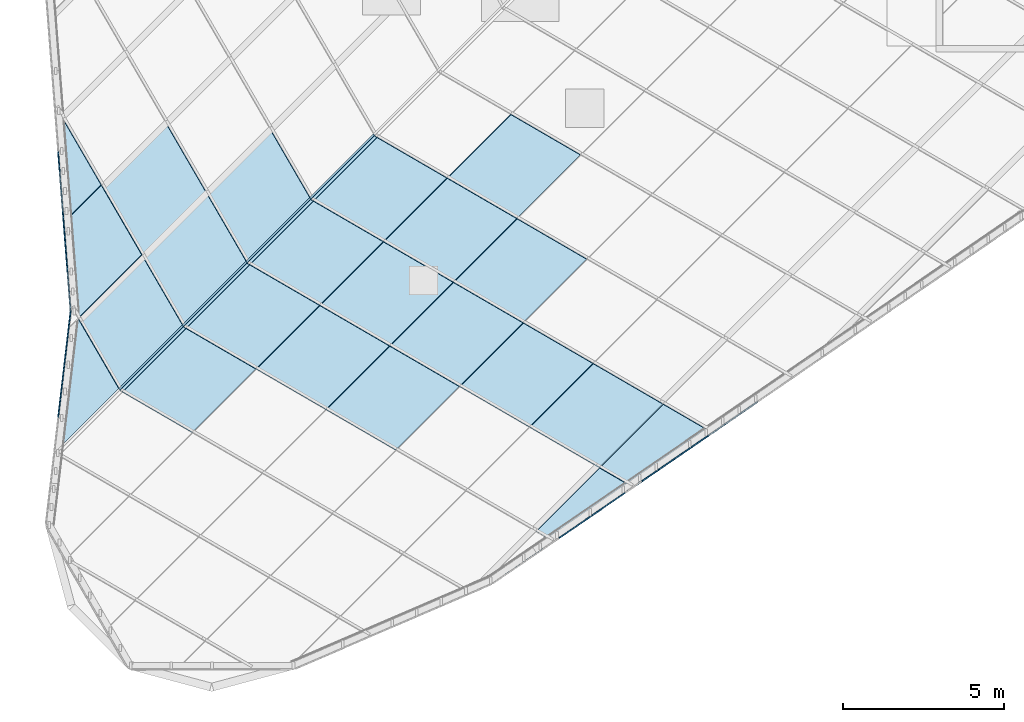
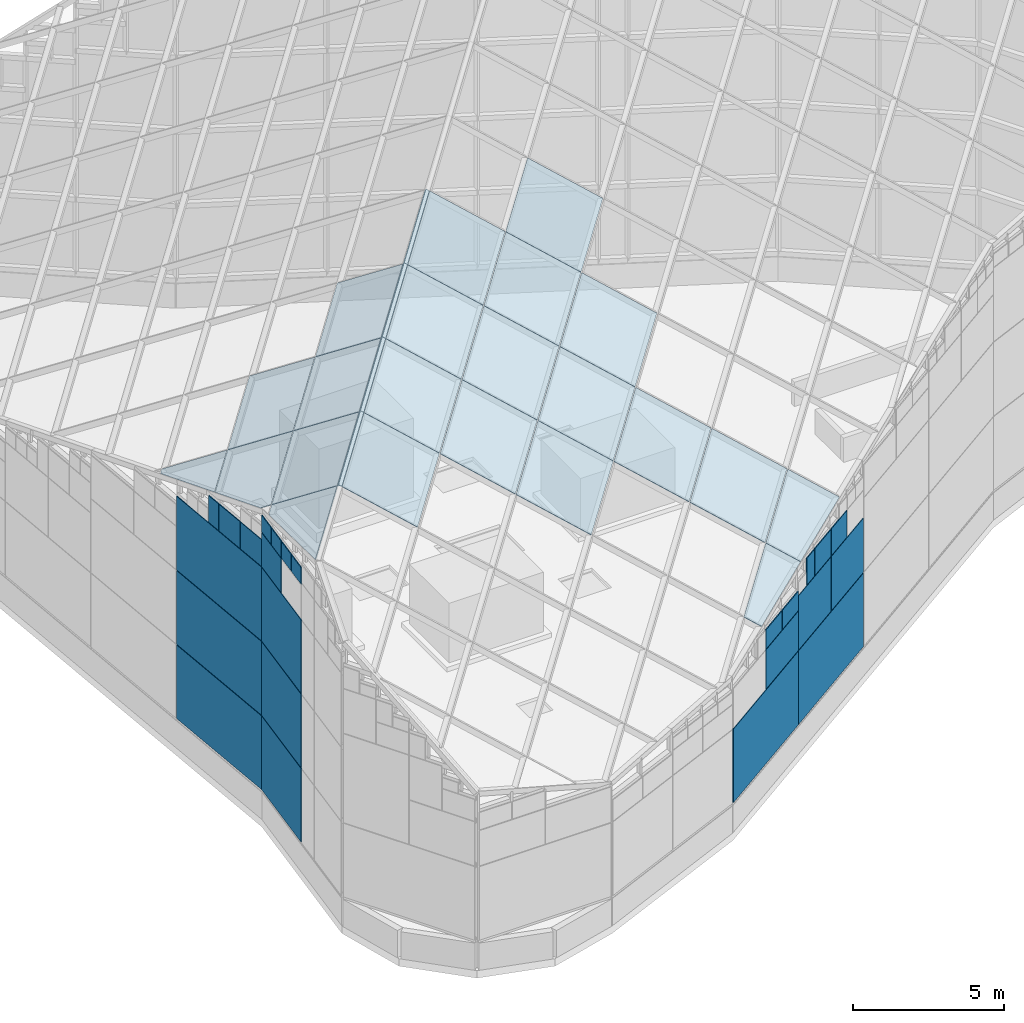
# One storey, part 15 of 29: 54 plates, 1 element without a shape of its own.
"""IFC4 building model written with IfcOpenShell, lengths in metres."""

from ifc_helpers import new_model, si_unit, direction, frame, origin, place, context, subcontext, project, spatial, polyline, outline, extrude, material, layer, layer_set, type_object, element, aggregate, save


model = new_model("IFC4")

# Units and contexts
model_context = context("Model", 3, precision=1e-05, world=origin(), true_north=direction((0.0, 1.0)))
body_context = subcontext(model_context, "Body", "Model", "MODEL_VIEW")
ifc_project = project(units=[si_unit("LENGTHUNIT", "METRE"), si_unit("AREAUNIT", "SQUARE_METRE"), si_unit("VOLUMEUNIT", "CUBIC_METRE"), si_unit("PLANEANGLEUNIT", "RADIAN"), si_unit("MASSUNIT", "GRAM", prefix="KILO")], contexts=[model_context])

# Site, building, storey
site_placement = place(None, origin())
site = spatial("IfcSite", under=ifc_project, at=site_placement, CompositionType="ELEMENT")
building_placement = place(site_placement, origin())
building = spatial("IfcBuilding", under=site, at=building_placement, Name="Tanit Gate Tower", CompositionType="ELEMENT")
storey_placement = place(building_placement, frame((0.0, 0.0, 445.300048828125)))
storey = spatial("IfcBuildingStorey", under=building, at=storey_placement, Name="ROOF", CompositionType="ELEMENT", Elevation=445.300048828125)

# Curtain wall, plates
ifc_material_1 = material(Name="Aluminium bronze anodised and glass", Category="aluminium")
curtain_wall_type = type_object("IfcCurtainWallType", Name="Curtain wall crown roof", PredefinedType="NOTDEFINED", material=ifc_material_1)
curtain_wall_placement = place(storey_placement, origin())
curtain_wall = element("IfcCurtainWall", 1, at=curtain_wall_placement, inside=storey, type_object=curtain_wall_type, Name="Crown lantern", PredefinedType="NOTDEFINED")
ifc_material_2 = material(Name="Glass tinted laminated safety", Category="glass")
ifc_layer = layer(ifc_material_2, 0.033935546875)
ifc_layer_set = layer_set([ifc_layer], Name="Glass panel 34 crown roof")
plate_type = type_object("IfcPlateType", Name="Glass panel 34 crown roof", PredefinedType="CURTAIN_PANEL", material=ifc_layer_set)
plate_1_placement = place(storey_placement, frame((-14.357421875, -5.004150390625, 1.21484375), z_axis=(-0.996965543394, -0.077844108862, 0.0), x_axis=(0.077844108862, -0.996965543394, 0.0)))
plate_1 = element("IfcPlate", 2, at=plate_1_placement, type_object=plate_type, Name="Lantern clerestory glass 17.1.1", PredefinedType="CURTAIN_PANEL", context=body_context, shape_type="SweptSolid", body=[
    extrude(outline(polyline([(0.0, 0.0), (4.961588929426632, 0.0), (4.961588929426632, 2.97021484375), (0.0, 2.97021484375), (0.0, 0.0)])), origin(), (0.0, 0.0, -1.0), 0.033935546875),
])
plate_2_placement = place(storey_placement, frame((-14.357421875, -5.004150390625, 4.21484375), z_axis=(-0.996965543394, -0.077844108862, 0.0), x_axis=(0.077844108862, -0.996965543394, 0.0)))
plate_2 = element("IfcPlate", 3, at=plate_2_placement, type_object=plate_type, Name="Lantern clerestory glass 17.2.1", PredefinedType="CURTAIN_PANEL", context=body_context, shape_type="SweptSolid", body=[
    extrude(outline(polyline([(0.0, 0.0), (4.961588929426632, 0.0), (4.961588929426632, 2.97021484375), (0.0, 2.97021484375), (0.0, 0.0)])), origin(), (0.0, 0.0, -1.0), 0.033935546875),
])
plate_3_placement = place(storey_placement, frame((-14.357421875, -5.004150390625, 7.21484375), z_axis=(-0.996965543394, -0.077844108862, 0.0), x_axis=(0.077844108862, -0.996965543394, 0.0)))
plate_3 = element("IfcPlate", 4, at=plate_3_placement, type_object=plate_type, Name="Lantern clerestory glass 17.3.1", PredefinedType="CURTAIN_PANEL", context=body_context, shape_type="SweptSolid", body=[
    extrude(outline(polyline([(0.0, 0.0), (4.961588929426632, 0.0), (4.961588929426632, 2.97021484375), (0.0, 2.97021484375), (0.0, 0.0)])), origin(), (0.0, 0.0, -1.0), 0.033935546875),
])
plate_4_placement = place(storey_placement, frame((-14.211669921875, -6.870361328125, 10.21484375), z_axis=(-0.996944658295, -0.078111127866, 0.0), x_axis=(0.078111127866, -0.996944658295, 0.0)))
plate_4 = element("IfcPlate", 5, at=plate_4_placement, type_object=plate_type, Name="Lantern clerestory glass 17.4.3", PredefinedType="CURTAIN_PANEL", context=body_context, shape_type="SweptSolid", body=[
    extrude(outline(polyline([(0.0, 0.0), (0.5938554469386242, 0.0), (0.5938554469386242, 1.077880859375), (0.0, 1.077880859375), (0.0, 0.0)])), origin(), (0.0, 0.0, -1.0), 0.033935546875),
])
plate_5_placement = place(storey_placement, frame((-14.1630859375, -7.492431640625, 10.21484375), z_axis=(-0.996970162903, -0.077784923227, 0.0), x_axis=(0.077784923227, -0.996970162903, 0.0)))
plate_5 = element("IfcPlate", 6, at=plate_5_placement, type_object=plate_type, Name="Lantern clerestory glass 17.4.4", PredefinedType="CURTAIN_PANEL", context=body_context, shape_type="SweptSolid", body=[
    extrude(outline(polyline([(0.0, 0.0), (1.217801066974618, 0.0), (1.217801066974618, 1.077880859375), (0.0, 1.077880859375), (0.0, 0.0)])), origin(), (0.0, 0.0, -1.0), 0.033935546875),
])
plate_6_placement = place(storey_placement, frame((-14.06591796875, -8.736328125, 10.21484375), z_axis=(-0.996971375522, -0.077769379514, 0.0), x_axis=(0.077769379514, -0.996971375522, 0.0)))
plate_6 = element("IfcPlate", 7, at=plate_6_placement, type_object=plate_type, Name="Lantern clerestory glass 17.4.5", PredefinedType="CURTAIN_PANEL", context=body_context, shape_type="SweptSolid", body=[
    extrude(outline(polyline([(0.0, 0.0), (1.218044468041335, 0.0), (1.218044468041335, 1.0778808593750002), (0.0, 1.0778808593750002), (0.0, 0.0)])), origin(), (0.0, 0.0, -1.0), 0.033935546875),
])
plate_7_placement = place(storey_placement, frame((-13.97119140625, -9.954345703125, 1.21484375), z_axis=(-0.993216005277, 0.116283992287, 0.0), x_axis=(-0.116283992287, -0.993216005277, 0.0)))
plate_7 = element("IfcPlate", 8, at=plate_7_placement, type_object=plate_type, Name="Lantern clerestory glass 18.1.1", PredefinedType="CURTAIN_PANEL", context=body_context, shape_type="SweptSolid", body=[
    extrude(outline(polyline([(0.0, 0.0), (3.304645258496004, 0.0), (3.304645258496004, 2.9702148437499996), (0.0, 2.9702148437499996), (0.0, 0.0)])), origin(), (0.0, 0.0, -1.0), 0.033935546875),
])
plate_8_placement = place(storey_placement, frame((-13.97119140625, -9.954345703125, 4.21484375), z_axis=(-0.993216005277, 0.116283992287, 0.0), x_axis=(-0.116283992287, -0.993216005277, 0.0)))
plate_8 = element("IfcPlate", 9, at=plate_8_placement, type_object=plate_type, Name="Lantern clerestory glass 18.2.1", PredefinedType="CURTAIN_PANEL", context=body_context, shape_type="SweptSolid", body=[
    extrude(outline(polyline([(0.0, 0.0), (3.304645258496004, 0.0), (3.304645258496004, 2.9702148437499996), (0.0, 2.9702148437499996), (0.0, 0.0)])), origin(), (0.0, 0.0, -1.0), 0.033935546875),
])
plate_9_placement = place(storey_placement, frame((-13.97119140625, -9.954345703125, 7.21484375), z_axis=(-0.993216005277, 0.116283992287, 0.0), x_axis=(-0.116283992287, -0.993216005277, 0.0)))
plate_9 = element("IfcPlate", 10, at=plate_9_placement, type_object=plate_type, Name="Lantern clerestory glass 18.3.1", PredefinedType="CURTAIN_PANEL", context=body_context, shape_type="SweptSolid", body=[
    extrude(outline(polyline([(0.0, 0.0), (3.304645258496004, 0.0), (3.304645258496004, 2.9702148437499996), (0.0, 2.9702148437499996), (0.0, 0.0)])), origin(), (0.0, 0.0, -1.0), 0.033935546875),
])
plate_10_placement = place(storey_placement, frame((-13.97119140625, -9.954345703125, 10.21484375), z_axis=(-0.993213563532, 0.116304846052, 0.0), x_axis=(-0.116304846052, -0.993213563532, 0.0)))
plate_10 = element("IfcPlate", 11, at=plate_10_placement, type_object=plate_type, Name="Lantern clerestory glass 18.4.1", PredefinedType="CURTAIN_PANEL", context=body_context, shape_type="SweptSolid", body=[
    extrude(outline(polyline([(0.0, 0.0), (1.6373323551294396, 0.0), (1.6373323551294396, 1.3732910156250002), (0.0, 1.3732910156250002), (0.0, 0.0)])), origin(), (0.0, 0.0, -1.0), 0.033935546875),
])
plate_11_placement = place(storey_placement, frame((-13.97119140625, -9.954345703125, 11.6181640625), z_axis=(-0.993210597675, 0.11633017092, 0.0), x_axis=(-0.11633017092, -0.993210597675, 0.0)))
plate_11 = element("IfcPlate", 12, at=plate_11_placement, type_object=plate_type, Name="Lantern clerestory glass 18.4.2", PredefinedType="CURTAIN_PANEL", context=body_context, shape_type="SweptSolid", body=[
    extrude(outline(polyline([(0.0, 0.0), (0.8037971459617356, 0.0), (0.8037971459617356, 0.671630859375), (0.0, 0.671630859375), (0.0, 0.0)])), origin(), (0.0, 0.0, -1.0), 0.033935546875),
])
plate_12_placement = place(storey_placement, frame((-14.068115234375, -10.782470703125, 11.6181640625), z_axis=(-0.993206485469, 0.116365274988, 0.0), x_axis=(-0.116365274988, -0.993206485469, 0.0)))
plate_12 = element("IfcPlate", 13, at=plate_12_placement, type_object=plate_type, Name="Lantern clerestory glass 18.4.3", PredefinedType="CURTAIN_PANEL", context=body_context, shape_type="SweptSolid", body=[
    extrude(outline(polyline([(0.0, 0.0), (0.8035546634075652, 0.0), (0.8035546634075652, 0.671630859375), (0.0, 0.671630859375), (0.0, 0.0)])), origin(), (0.0, 0.0, -1.0), 0.033935546875),
])
plate_13_placement = place(storey_placement, frame((-14.1650390625, -11.6103515625, 11.6181640625), z_axis=(-0.993210597675, 0.11633017092, 0.0), x_axis=(-0.11633017092, -0.993210597675, 0.0)))
plate_13 = element("IfcPlate", 14, at=plate_13_placement, type_object=plate_type, Name="Lantern clerestory glass 18.4.5", PredefinedType="CURTAIN_PANEL", context=body_context, shape_type="SweptSolid", body=[
    extrude(outline(polyline([(0.0, 0.0), (0.8037971459617356, 0.0), (0.8037971459617356, 0.671630859375), (0.0, 0.671630859375), (0.0, 0.0)])), origin(), (0.0, 0.0, -1.0), 0.033935546875),
])
plate_14_placement = place(storey_placement, frame((-14.26220703125, -12.4384765625, 11.6181640625), z_axis=(-0.993241556072, 0.116065547391, 0.0), x_axis=(-0.116065547391, -0.993241556072, 0.0)))
plate_14 = element("IfcPlate", 15, at=plate_14_placement, type_object=plate_type, Name="Lantern clerestory glass 18.4.6", PredefinedType="CURTAIN_PANEL", context=body_context, shape_type="SweptSolid", body=[
    extrude(outline(polyline([(0.0, 0.0), (0.803526290503797, 0.0), (0.803526290503797, 0.671630859375), (0.0, 0.671630859375), (0.0, 0.0)])), origin(), (0.0, 0.0, -1.0), 0.033935546875),
])
plate_15_placement = place(storey_placement, frame((-0.833984375, -18.40576171875, 1.21484375), z_axis=(0.565868732954, -0.824495346903, 0.0), x_axis=(0.824495346903, 0.565868732954, 0.0)))
plate_15 = element("IfcPlate", 16, at=plate_15_placement, type_object=plate_type, Name="Lantern clerestory glass 25.1.1", PredefinedType="CURTAIN_PANEL", context=body_context, shape_type="SweptSolid", body=[
    extrude(outline(polyline([(0.0, 0.0), (4.961605093183859, 0.0), (4.961605093183859, 2.97021484375), (0.0, 2.97021484375), (0.0, 0.0)])), origin(), (0.0, 0.0, -1.0), 0.033935546875),
])
plate_16_placement = place(storey_placement, frame((1.223876953125, -16.993408203125, 4.21484375), z_axis=(0.565868893636, -0.824495236624, 0.0), x_axis=(0.824495236624, 0.565868893636, 0.0)))
plate_16 = element("IfcPlate", 17, at=plate_16_placement, type_object=plate_type, Name="Lantern clerestory glass 25.2.3", PredefinedType="CURTAIN_PANEL", context=body_context, shape_type="SweptSolid", body=[
    extrude(outline(polyline([(0.0, 0.0), (2.4657013092029496, 0.0), (2.4657013092029496, 1.58544921875), (0.0, 1.58544921875), (0.0, 0.0)])), origin(), (0.0, 0.0, -1.0), 0.033935546875),
])
plate_17_placement = place(storey_placement, frame((1.223876953125, -16.993408203125, 5.830322265625), z_axis=(0.565890593096, -0.824480343395, 0.0), x_axis=(0.824480343395, 0.565890593096, 0.0)))
plate_17 = element("IfcPlate", 18, at=plate_17_placement, type_object=plate_type, Name="Lantern clerestory glass 25.2.4", PredefinedType="CURTAIN_PANEL", context=body_context, shape_type="SweptSolid", body=[
    extrude(outline(polyline([(0.0, 0.0), (1.2179191398182225, 0.0), (1.2179191398182225, 0.777587890625), (0.0, 0.777587890625), (0.0, 0.0)])), origin(), (0.0, 0.0, -1.0), 0.033935546875),
])
plate_18_placement = place(storey_placement, frame((2.252685546875, -16.287353515625, 5.830322265625), z_axis=(0.565890593096, -0.824480343395, 0.0), x_axis=(0.824480343395, 0.565890593096, 0.0)))
plate_18 = element("IfcPlate", 19, at=plate_18_placement, type_object=plate_type, Name="Lantern clerestory glass 25.2.5", PredefinedType="CURTAIN_PANEL", context=body_context, shape_type="SweptSolid", body=[
    extrude(outline(polyline([(0.0, 0.0), (1.2179191398182225, 0.0), (1.2179191398182225, 0.777587890625), (0.0, 0.777587890625), (0.0, 0.0)])), origin(), (0.0, 0.0, -1.0), 0.033935546875),
])
plate_19_placement = place(storey_placement, frame((3.281494140625, -15.5810546875, 1.21484375), z_axis=(0.565868732954, -0.824495346903, 0.0), x_axis=(0.824495346903, 0.565868732954, 0.0)))
plate_19 = element("IfcPlate", 20, at=plate_19_placement, type_object=plate_type, Name="Lantern clerestory glass 26.1.1", PredefinedType="CURTAIN_PANEL", context=body_context, shape_type="SweptSolid", body=[
    extrude(outline(polyline([(0.0, 0.0), (4.961605093183859, 0.0), (4.961605093183859, 2.97021484375), (0.0, 2.97021484375), (0.0, 0.0)])), origin(), (0.0, 0.0, -1.0), 0.033935546875),
])
plate_20_placement = place(storey_placement, frame((3.281494140625, -15.5810546875, 4.21484375), z_axis=(0.565868893636, -0.824495236624, 0.0), x_axis=(0.824495236624, 0.565868893636, 0.0)))
plate_20 = element("IfcPlate", 21, at=plate_20_placement, type_object=plate_type, Name="Lantern clerestory glass 26.2.1", PredefinedType="CURTAIN_PANEL", context=body_context, shape_type="SweptSolid", body=[
    extrude(outline(polyline([(0.0, 0.0), (2.4657013092029496, 0.0), (2.4657013092029496, 2.1896972656250004), (0.0, 2.1896972656250004), (0.0, 0.0)])), origin(), (0.0, 0.0, -1.0), 0.033935546875),
])
plate_21_placement = place(storey_placement, frame((3.7958984375, -15.22802734375, 6.4345703125), z_axis=(0.565935627082, -0.824449432045, 0.0), x_axis=(0.824449432045, 0.565935627082, 0.0)))
plate_21 = element("IfcPlate", 22, at=plate_21_placement, type_object=plate_type, Name="Lantern clerestory glass 26.2.3", PredefinedType="CURTAIN_PANEL", context=body_context, shape_type="SweptSolid", body=[
    extrude(outline(polyline([(0.0, 0.0), (0.5940280564390039, 0.0), (0.5940280564390039, 1.079833984375), (0.0, 1.079833984375), (0.0, 0.0)])), origin(), (0.0, 0.0, -1.0), 0.033935546875),
])
plate_22_placement = place(storey_placement, frame((4.310302734375, -14.875, 6.4345703125), z_axis=(0.565890593096, -0.824480343395, 0.0), x_axis=(0.824480343395, 0.565890593096, 0.0)))
plate_22 = element("IfcPlate", 23, at=plate_22_placement, type_object=plate_type, Name="Lantern clerestory glass 26.2.4", PredefinedType="CURTAIN_PANEL", context=body_context, shape_type="SweptSolid", body=[
    extrude(outline(polyline([(0.0, 0.0), (1.2179191398182225, 0.0), (1.2179191398182225, 1.079833984375), (0.0, 1.079833984375), (0.0, 0.0)])), origin(), (0.0, 0.0, -1.0), 0.033935546875),
])
plate_23_placement = place(storey_placement, frame((5.339111328125, -14.168701171875, 4.21484375), z_axis=(0.565822700605, -0.824526937995, 0.0), x_axis=(0.824526937995, 0.565822700605, 0.0)))
plate_23 = element("IfcPlate", 24, at=plate_23_placement, type_object=plate_type, Name="Lantern clerestory glass 26.2.5", PredefinedType="CURTAIN_PANEL", context=body_context, shape_type="SweptSolid", body=[
    extrude(outline(polyline([(0.0, 0.0), (2.4659026058552826, 0.0), (2.4659026058552826, 2.189697265625), (0.0, 2.189697265625), (0.0, 0.0)])), origin(), (0.0, 0.0, -1.0), 0.033935546875),
])
plate_24_placement = place(storey_placement, frame((5.339111328125, -14.168701171875, 6.4345703125), z_axis=(0.565890593096, -0.824480343395, 0.0), x_axis=(0.824480343395, 0.565890593096, 0.0)))
plate_24 = element("IfcPlate", 25, at=plate_24_placement, type_object=plate_type, Name="Lantern clerestory glass 26.2.6", PredefinedType="CURTAIN_PANEL", context=body_context, shape_type="SweptSolid", body=[
    extrude(outline(polyline([(0.0, 0.0), (1.2179191398182225, 0.0), (1.2179191398182225, 1.079833984375), (0.0, 1.079833984375), (0.0, 0.0)])), origin(), (0.0, 0.0, -1.0), 0.033935546875),
])
plate_25_placement = place(storey_placement, frame((-14.432861328125, -14.319091796875, 13.30126953125), z_axis=(-0.624521897309, 0.207453321584, 0.752951206351), x_axis=(0.658410344613, 0.65839655816, 0.364705073052)))
plate_25 = element("IfcPlate", 26, at=plate_25_placement, type_object=plate_type, Name="Lantern roof glass E1.1.2", PredefinedType="CURTAIN_PANEL", context=body_context, shape_type="SweptSolid", body=[
    extrude(outline(polyline([(0.0, 0.0), (2.9935408234310783, 0.0), (2.993594922670102, 2.9839101490229023), (2.591430654639187, 2.984082697270689), (0.0, 0.0)])), origin(), (0.0, 0.0, -1.0), 0.033935546875),
])
plate_26_placement = place(storey_placement, frame((-10.48486328125, -10.375732421875, 15.4892578125), z_axis=(-0.624483772663, 0.207408873625, 0.752995070915), x_axis=(-0.65840127808, -0.65842244454, -0.364674706484)))
plate_26 = element("IfcPlate", 27, at=plate_26_placement, type_object=plate_type, Name="Lantern roof glass E2.1.1", PredefinedType="CURTAIN_PANEL", context=body_context, shape_type="SweptSolid", body=[
    extrude(outline(polyline([(0.0, 0.0), (2.996058347236774, 0.0), (2.995969520886642, 0.05843625589094359), (7.191614939915277e-05, 0.058333679698266305), (0.0, 0.0)])), origin(), (0.0, 0.0, -1.0), 0.033935546875),
])
plate_27_placement = place(storey_placement, frame((-12.459228515625, -12.345458984375, 14.39453125), z_axis=(-0.624482872201, 0.207452924098, 0.752983682831), x_axis=(0.658417167069, 0.658417167069, 0.364655547356)))
plate_27 = element("IfcPlate", 28, at=plate_27_placement, type_object=plate_type, Name="Lantern roof glass E2.1.2", PredefinedType="CURTAIN_PANEL", context=body_context, shape_type="SweptSolid", body=[
    extrude(outline(polyline([(0.0, 0.0), (2.9960583482065744, -1.1102230246251565e-16), (2.9960685937987797, 2.9840127115717037), (1.0245592205304632e-05, 2.9840127115717037), (0.0, 0.0)])), origin(), (0.0, 0.0, -1.0), 0.033935546875),
])
plate_28_placement = place(storey_placement, frame((-13.724609375, -10.166259765625, 12.74462890625), z_axis=(-0.624519871782, 0.207454469449, 0.752952570123), x_axis=(0.658395503436, 0.658424363873, 0.364681666819)))
plate_28 = element("IfcPlate", 29, at=plate_28_placement, type_object=plate_type, Name="Lantern roof glass E2.2.1", PredefinedType="CURTAIN_PANEL", context=body_context, shape_type="SweptSolid", body=[
    extrude(outline(polyline([(0.0, 0.0), (2.996058346403946, 3.3306690738754696e-16), (2.9960611329549645, 2.971889130940616), (1.2756954972923575, 2.972092247163023), (-4.0391659001007274e-05, 0.4819628087486849), (0.0, 0.0)])), origin(), (0.0, 0.0, -1.0), 0.033935546875),
])
plate_29_placement = place(storey_placement, frame((-14.135498046875, -7.146484375, 11.571533203125), z_axis=(-0.624473838992, 0.207468896167, 0.752986773813), x_axis=(0.658454418321, 0.658368281364, 0.364676548585)))
plate_29 = element("IfcPlate", 30, at=plate_29_placement, type_object=plate_type, Name="Lantern roof glass E2.3.1", PredefinedType="CURTAIN_PANEL", context=body_context, shape_type="SweptSolid", body=[
    extrude(outline(polyline([(0.0, 0.0), (1.706118594626977, 1.1102230246251565e-16), (1.7060072724718394, 2.9721994965807177), (1.5223141413501355, 2.9722706372148524), (0.0, 0.0)])), origin(), (0.0, 0.0, -1.0), 0.033935546875),
])
plate_30_placement = place(storey_placement, frame((-8.509521484375, -8.400390625, 16.583251953125), z_axis=(-0.62501553161, 0.208370909693, 0.752287943037), x_axis=(-0.658417167069, -0.658417167069, -0.364655547356)))
plate_30 = element("IfcPlate", 31, at=plate_30_placement, type_object=plate_type, Name="Lantern roof glass E3.1.1", PredefinedType="CURTAIN_PANEL", context=body_context, shape_type="SweptSolid", body=[
    extrude(outline(polyline([(0.0, 0.0), (2.9960583482065744, 1.1102230246251565e-16), (2.9961302662955505, 0.058333729505454346), (7.191808897581177e-05, 0.05833372950545447), (0.0, 0.0)])), origin(), (0.0, 0.0, -1.0), 0.033935546875),
])
plate_31_placement = place(storey_placement, frame((-10.48388671875, -10.3701171875, 15.488525390625), z_axis=(-0.624482872201, 0.207452924098, 0.752983682831), x_axis=(0.658417167069, 0.658417167069, 0.364655547356)))
plate_31 = element("IfcPlate", 32, at=plate_31_placement, type_object=plate_type, Name="Lantern roof glass E3.1.2", PredefinedType="CURTAIN_PANEL", context=body_context, shape_type="SweptSolid", body=[
    extrude(outline(polyline([(0.0, 0.0), (2.9960583482065744, -1.1102230246251565e-16), (2.9960685937987797, 2.9840127115717037), (1.0245592205304632e-05, 2.9840127115717037), (0.0, 0.0)])), origin(), (0.0, 0.0, -1.0), 0.033935546875),
])
plate_32_placement = place(storey_placement, frame((-11.025146484375, -4.068115234375, 13.302978515625), z_axis=(-0.624517550137, 0.207512645532, 0.752938464627), x_axis=(-0.658417167069, -0.658417167069, -0.364655547356)))
plate_32 = element("IfcPlate", 33, at=plate_32_placement, type_object=plate_type, Name="Lantern roof glass E3.2.1", PredefinedType="CURTAIN_PANEL", context=body_context, shape_type="SweptSolid", body=[
    extrude(outline(polyline([(0.0, 0.0), (2.9960583482065744, 0.0), (2.995972106182865, 2.9720228713480514), (-8.62420237096595e-05, 2.9720228713480514), (0.0, 0.0)])), origin(), (0.0, 0.0, -1.0), 0.033935546875),
])
plate_33_placement = place(storey_placement, frame((-6.534423828125, -6.42529296875, 17.67724609375), z_axis=(-0.623907343087, 0.206492751592, 0.753724333415), x_axis=(-0.658452493532, -0.658371001887, -0.364675112445)))
plate_33 = element("IfcPlate", 34, at=plate_33_placement, type_object=plate_type, Name="Lantern roof glass E4.1.1", PredefinedType="CURTAIN_PANEL", context=body_context, shape_type="SweptSolid", body=[
    extrude(outline(polyline([(0.0, 0.0), (2.9958976074631427, 0.0), (2.995805332499612, 0.058436300269250396), (-9.22749635299952e-05, 0.05843630026925052), (0.0, 0.0)])), origin(), (0.0, 0.0, -1.0), 0.033935546875),
])
plate_34_placement = place(storey_placement, frame((-8.5087890625, -8.39501953125, 16.58251953125), z_axis=(-0.624504337677, 0.207489890682, 0.752955694239), x_axis=(0.658417167069, 0.658417167069, 0.364655547356)))
plate_34 = element("IfcPlate", 35, at=plate_34_placement, type_object=plate_type, Name="Lantern roof glass E4.1.2", PredefinedType="CURTAIN_PANEL", context=body_context, shape_type="SweptSolid", body=[
    extrude(outline(polyline([(0.0, 0.0), (2.9960583482065744, 0.0), (2.9962293401774587, 2.9839101450263263), (0.00017099197088421558, 2.983910145026326), (0.0, 0.0)])), origin(), (0.0, 0.0, -1.0), 0.033935546875),
])
plate_35_placement = place(storey_placement, frame((-4.55908203125, -4.449951171875, 18.771240234375), z_axis=(-0.62501553161, 0.208370909693, 0.752287943037), x_axis=(-0.658417167069, -0.658417167069, -0.364655547356)))
plate_35 = element("IfcPlate", 36, at=plate_35_placement, type_object=plate_type, Name="Lantern roof glass E5.1.1", PredefinedType="CURTAIN_PANEL", context=body_context, shape_type="SweptSolid", body=[
    extrude(outline(polyline([(0.0, 0.0), (2.9960583482065744, 1.1102230246251565e-16), (2.9961302662955505, 0.058333729505454346), (7.191808897581177e-05, 0.05833372950545447), (0.0, 0.0)])), origin(), (0.0, 0.0, -1.0), 0.033935546875),
])
plate_36_placement = place(storey_placement, frame((-10.4716796875, -10.42919921875, 15.561767578125), z_axis=(0.207230113622, -0.624344675808, 0.753159615087), x_axis=(-0.658372751712, -0.658447221738, -0.364681471958)))
plate_36 = element("IfcPlate", 37, at=plate_36_placement, type_object=plate_type, Name="Lantern roof glass W4.1.1", PredefinedType="CURTAIN_PANEL", context=body_context, shape_type="SweptSolid", body=[
    extrude(outline(polyline([(0.0, 0.0), (2.995897607356343, 2.220446049250313e-16), (2.9959840929659056, 0.13234513206038634), (-7.424992552342372e-05, 0.13252179289814547), (0.0, 0.0)])), origin(), (0.0, 0.0, -1.0), 0.033935546875),
])
plate_37_placement = place(storey_placement, frame((-10.1865234375, -13.712890625, 12.760009765625), z_axis=(0.207452924098, -0.624482872201, 0.752983682831), x_axis=(0.658417167069, 0.658417167069, 0.364655547356)))
plate_37 = element("IfcPlate", 38, at=plate_37_placement, type_object=plate_type, Name="Lantern roof glass W4.1.2", PredefinedType="CURTAIN_PANEL", context=body_context, shape_type="SweptSolid", body=[
    extrude(outline(polyline([(0.0, 0.0), (2.9960583482065744, 1.1102230246251565e-16), (2.996048102614369, 2.984012711571704), (-1.0245592205304632e-05, 2.9840127115717037), (0.0, 0.0)])), origin(), (0.0, 0.0, -1.0), 0.033935546875),
])
plate_38_placement = place(storey_placement, frame((-8.496337890625, -8.453857421875, 16.65576171875), z_axis=(0.207086435694, -0.624269991312, 0.753261034502), x_axis=(-0.658417167069, -0.658417167069, -0.364655547356)))
plate_38 = element("IfcPlate", 39, at=plate_38_placement, type_object=plate_type, Name="Lantern roof glass W5.1.1", PredefinedType="CURTAIN_PANEL", context=body_context, shape_type="SweptSolid", body=[
    extrude(outline(polyline([(0.0, 0.0), (2.9960583482065744, 0.0), (2.9959762839971624, 0.13252179070392978), (-8.206420941223036e-05, 0.1325217907039298), (0.0, 0.0)])), origin(), (0.0, 0.0, -1.0), 0.033935546875),
])
plate_39_placement = place(storey_placement, frame((-8.211181640625, -11.737548828125, 13.85400390625), z_axis=(0.207452924098, -0.624482872201, 0.752983682831), x_axis=(0.658417167069, 0.658417167069, 0.364655547356)))
plate_39 = element("IfcPlate", 40, at=plate_39_placement, type_object=plate_type, Name="Lantern roof glass W5.1.2", PredefinedType="CURTAIN_PANEL", context=body_context, shape_type="SweptSolid", body=[
    extrude(outline(polyline([(0.0, 0.0), (2.9960583482065744, 1.1102230246251565e-16), (2.996048102614369, 2.984012711571704), (-1.0245592205304632e-05, 2.9840127115717037), (0.0, 0.0)])), origin(), (0.0, 0.0, -1.0), 0.033935546875),
])
plate_40_placement = place(storey_placement, frame((-6.040771484375, -12.997802734375, 12.21044921875), z_axis=(0.207512645532, -0.624517550137, 0.752938464627), x_axis=(0.658417167069, 0.658417167069, 0.364655547356)))
plate_40 = element("IfcPlate", 41, at=plate_40_placement, type_object=plate_type, Name="Lantern roof glass W5.2.1", PredefinedType="CURTAIN_PANEL", context=body_context, shape_type="SweptSolid", body=[
    extrude(outline(polyline([(0.0, 0.0), (2.9960583482065744, 0.0), (2.996144590230284, 2.9720228713480514), (8.62420237096595e-05, 2.9720228713480514), (0.0, 0.0)])), origin(), (0.0, 0.0, -1.0), 0.033935546875),
])
plate_41_placement = place(storey_placement, frame((-3.870361328125, -14.25830078125, 10.567138671875), z_axis=(0.207477333076, -0.624523527626, 0.752943238034), x_axis=(0.658422446618, 0.658401276057, 0.364674706385)))
plate_41 = element("IfcPlate", 42, at=plate_41_placement, type_object=plate_type, Name="Lantern roof glass W5.3.1", PredefinedType="CURTAIN_PANEL", context=body_context, shape_type="SweptSolid", body=[
    extrude(outline(polyline([(0.0, 0.0), (2.996058347236651, 2.220446049250313e-16), (2.996144591200235, 2.9720228703702274), (0.0002469864626216678, 2.9721254321362016), (0.0, 0.0)])), origin(), (0.0, 0.0, -1.0), 0.033935546875),
])
plate_42_placement = place(storey_placement, frame((2.463623046875, -14.818115234375, 8.357666015625), z_axis=(0.207364824573, -0.624441208425, 0.753042499963), x_axis=(-0.65844383452, -0.658397079219, -0.364643665595)))
plate_42 = element("IfcPlate", 43, at=plate_42_placement, type_object=plate_type, Name="Lantern roof glass W5.6.1", PredefinedType="CURTAIN_PANEL", context=body_context, shape_type="SweptSolid", body=[
    extrude(outline(polyline([(0.0, 0.0), (2.995897604850854, -1.1102230246251565e-16), (2.9960096212968894, 0.7026246527248178), (-0.0001508125174109476, 1.377345325120924), (0.0, 0.0)])), origin(), (0.0, 0.0, -1.0), 0.033935546875),
])
plate_43_placement = place(storey_placement, frame((-6.52099609375, -6.478759765625, 17.749755859375), z_axis=(0.206797072444, -0.624119521634, 0.753465190665), x_axis=(-0.658445492509, -0.658392132692, -0.36464960305)))
plate_43 = element("IfcPlate", 44, at=plate_43_placement, type_object=plate_type, Name="Lantern roof glass W6.1.1", PredefinedType="CURTAIN_PANEL", context=body_context, shape_type="SweptSolid", body=[
    extrude(outline(polyline([(0.0, 0.0), (2.995897605746112, 0.0), (2.99597173951961, 0.13262448976211516), (7.41468007973839e-05, 0.13234510309761607), (0.0, 0.0)])), origin(), (0.0, 0.0, -1.0), 0.033935546875),
])
plate_44_placement = place(storey_placement, frame((-6.236083984375, -9.76220703125, 14.947998046875), z_axis=(0.207489890682, -0.624504337677, 0.752955694239), x_axis=(0.658417167069, 0.658417167069, 0.364655547356)))
plate_44 = element("IfcPlate", 45, at=plate_44_placement, type_object=plate_type, Name="Lantern roof glass W6.1.2", PredefinedType="CURTAIN_PANEL", context=body_context, shape_type="SweptSolid", body=[
    extrude(outline(polyline([(0.0, 0.0), (2.9960583482065744, 0.0), (2.9958873562356905, 2.983910145026326), (-0.00017099197088421558, 2.983910145026326), (0.0, 0.0)])), origin(), (0.0, 0.0, -1.0), 0.033935546875),
])
plate_45_placement = place(storey_placement, frame((-4.0654296875, -11.022705078125, 13.304443359375), z_axis=(0.207465003444, -0.624516368041, 0.752952573802), x_axis=(0.658422446243, 0.658401276421, 0.364674706403)))
plate_45 = element("IfcPlate", 46, at=plate_45_placement, type_object=plate_type, Name="Lantern roof glass W6.2.1", PredefinedType="CURTAIN_PANEL", context=body_context, shape_type="SweptSolid", body=[
    extrude(outline(polyline([(0.0, 0.0), (2.996058347236673, 0.0), (2.995983844821482, 2.972199502003347), (8.624008393498528e-05, 2.972302066367685), (0.0, 0.0)])), origin(), (0.0, 0.0, -1.0), 0.033935546875),
])
plate_46_placement = place(storey_placement, frame((-1.89501953125, -12.282958984375, 11.6611328125), z_axis=(0.207512645532, -0.624517550137, 0.752938464627), x_axis=(0.658417167069, 0.658417167069, 0.364655547356)))
plate_46 = element("IfcPlate", 47, at=plate_46_placement, type_object=plate_type, Name="Lantern roof glass W6.3.1", PredefinedType="CURTAIN_PANEL", context=body_context, shape_type="SweptSolid", body=[
    extrude(outline(polyline([(0.0, 0.0), (2.9960583482065744, 0.0), (2.996144590230284, 2.9720228713480514), (8.62420237096595e-05, 2.9720228713480514), (0.0, 0.0)])), origin(), (0.0, 0.0, -1.0), 0.033935546875),
])
plate_47_placement = place(storey_placement, frame((0.275390625, -13.543212890625, 10.017822265625), z_axis=(0.207477333076, -0.624523527626, 0.752943238034), x_axis=(0.658447214126, 0.658386894178, 0.364655952624)))
plate_47 = element("IfcPlate", 48, at=plate_47_placement, type_object=plate_type, Name="Lantern roof glass W6.4.1", PredefinedType="CURTAIN_PANEL", context=body_context, shape_type="SweptSolid", body=[
    extrude(outline(polyline([(0.0, 0.0), (2.9958976064931675, -2.220446049250313e-16), (2.996042845007932, 2.97212543884993), (-1.5500473071194953e-05, 2.9720228715811463), (0.0, 0.0)])), origin(), (0.0, 0.0, -1.0), 0.033935546875),
])
plate_48_placement = place(storey_placement, frame((2.446044921875, -14.8037109375, 8.37451171875), z_axis=(0.207498138348, -0.62447719788, 0.752975930499), x_axis=(0.658410801548, 0.658436325701, 0.364632446996)))
plate_48 = element("IfcPlate", 49, at=plate_48_placement, type_object=plate_type, Name="Lantern roof glass W6.5.1", PredefinedType="CURTAIN_PANEL", context=body_context, shape_type="SweptSolid", body=[
    extrude(outline(polyline([(0.0, 0.0), (2.9960583467966293, 0.0), (2.995894818028231, 2.972065764537141), (-7.450717489354552e-05, 2.972199501559653), (0.0, 0.0)])), origin(), (0.0, 0.0, -1.0), 0.033935546875),
])
plate_49_placement = place(storey_placement, frame((4.43896484375, -12.8427734375, 9.45166015625), z_axis=(0.207468697105, -0.624455199621, 0.753002286442), x_axis=(-0.658409825324, -0.65843926647, -0.364628899413)))
plate_49 = element("IfcPlate", 50, at=plate_49_placement, type_object=plate_type, Name="Lantern roof glass W6.6.1", PredefinedType="CURTAIN_PANEL", context=body_context, shape_type="SweptSolid", body=[
    extrude(outline(polyline([(0.0, 0.0), (2.9960583463304467, -1.1102230246251565e-16), (2.99597200858717, 1.3783478443461528), (-7.629859911517656e-05, 2.053304848330665), (0.0, 0.0)])), origin(), (0.0, 0.0, -1.0), 0.033935546875),
])
plate_50_placement = place(storey_placement, frame((-4.5458984375, -4.50341796875, 18.84375), z_axis=(0.207086435694, -0.624269991312, 0.753261034502), x_axis=(-0.658417167069, -0.658417167069, -0.364655547356)))
plate_50 = element("IfcPlate", 51, at=plate_50_placement, type_object=plate_type, Name="Lantern roof glass W7.1.1", PredefinedType="CURTAIN_PANEL", context=body_context, shape_type="SweptSolid", body=[
    extrude(outline(polyline([(0.0, 0.0), (2.9960583482065744, 0.0), (2.9959762839971624, 0.13252179070392978), (-8.206420941223036e-05, 0.1325217907039298), (0.0, 0.0)])), origin(), (0.0, 0.0, -1.0), 0.033935546875),
])
plate_51_placement = place(storey_placement, frame((-4.2607421875, -7.787109375, 16.041748046875), z_axis=(0.207497493756, -0.62450875241, 0.752949937412), x_axis=(0.658417167069, 0.658417167069, 0.364655547356)))
plate_51 = element("IfcPlate", 52, at=plate_51_placement, type_object=plate_type, Name="Lantern roof glass W7.1.2", PredefinedType="CURTAIN_PANEL", context=body_context, shape_type="SweptSolid", body=[
    extrude(outline(polyline([(0.0, 0.0), (2.9960583482065744, 1.1102230246251565e-16), (2.99613712984761, 2.9841464479006596), (7.878164103580776e-05, 2.9841464479006596), (0.0, 0.0)])), origin(), (0.0, 0.0, -1.0), 0.033935546875),
])
plate_52_placement = place(storey_placement, frame((-2.09033203125, -9.04736328125, 14.3984375), z_axis=(0.207512645532, -0.624517550137, 0.752938464627), x_axis=(0.658417167069, 0.658417167069, 0.364655547356)))
plate_52 = element("IfcPlate", 53, at=plate_52_placement, type_object=plate_type, Name="Lantern roof glass W7.2.1", PredefinedType="CURTAIN_PANEL", context=body_context, shape_type="SweptSolid", body=[
    extrude(outline(polyline([(0.0, 0.0), (2.9960583482065744, 0.0), (2.996144590230284, 2.9720228713480514), (8.62420237096595e-05, 2.9720228713480514), (0.0, 0.0)])), origin(), (0.0, 0.0, -1.0), 0.033935546875),
])
plate_53_placement = place(storey_placement, frame((0.080322265625, -10.3076171875, 12.755126953125), z_axis=(0.207476734284, -0.624514381981, 0.75295098873), x_axis=(0.658402804012, 0.658416942415, 0.364681885498)))
plate_53 = element("IfcPlate", 54, at=plate_53_placement, type_object=plate_type, Name="Lantern roof glass W7.3.1", PredefinedType="CURTAIN_PANEL", context=body_context, shape_type="SweptSolid", body=[
    extrude(outline(polyline([(0.0, 0.0), (2.995736857662375, 3.3306690738754696e-16), (2.9960573312722505, 2.972125425662595), (-1.0155860292737628e-06, 2.97219950347864), (0.0, 0.0)])), origin(), (0.0, 0.0, -1.0), 0.033935546875),
])
plate_54_placement = place(storey_placement, frame((-0.114990234375, -7.072021484375, 15.492431640625), z_axis=(0.207476734284, -0.624514381981, 0.75295098873), x_axis=(0.658445460415, 0.658392173404, 0.364649587494)))
plate_54 = element("IfcPlate", 55, at=plate_54_placement, type_object=plate_type, Name="Lantern roof glass W8.2.1", PredefinedType="CURTAIN_PANEL", context=body_context, shape_type="SweptSolid", body=[
    extrude(outline(polyline([(0.0, 0.0), (2.995897605741668, 0.0), (2.9958820907560715, 2.9723020668208155), (-1.5501976072918033e-05, 2.9720228708236034), (0.0, 0.0)])), origin(), (0.0, 0.0, -1.0), 0.033935546875),
])
aggregate(curtain_wall, [plate_1, plate_2, plate_3, plate_4, plate_5, plate_6, plate_7, plate_8, plate_9, plate_10, plate_11, plate_12, plate_13, plate_14, plate_15, plate_16, plate_17, plate_18, plate_19, plate_20, plate_21, plate_22, plate_23, plate_24, plate_25, plate_26, plate_27, plate_28, plate_29, plate_30, plate_31, plate_32, plate_33, plate_34, plate_35, plate_36, plate_37, plate_38, plate_39, plate_40, plate_41, plate_42, plate_43, plate_44, plate_45, plate_46, plate_47, plate_48, plate_49, plate_50, plate_51, plate_52, plate_53, plate_54])

save(model, "model.ifc")
